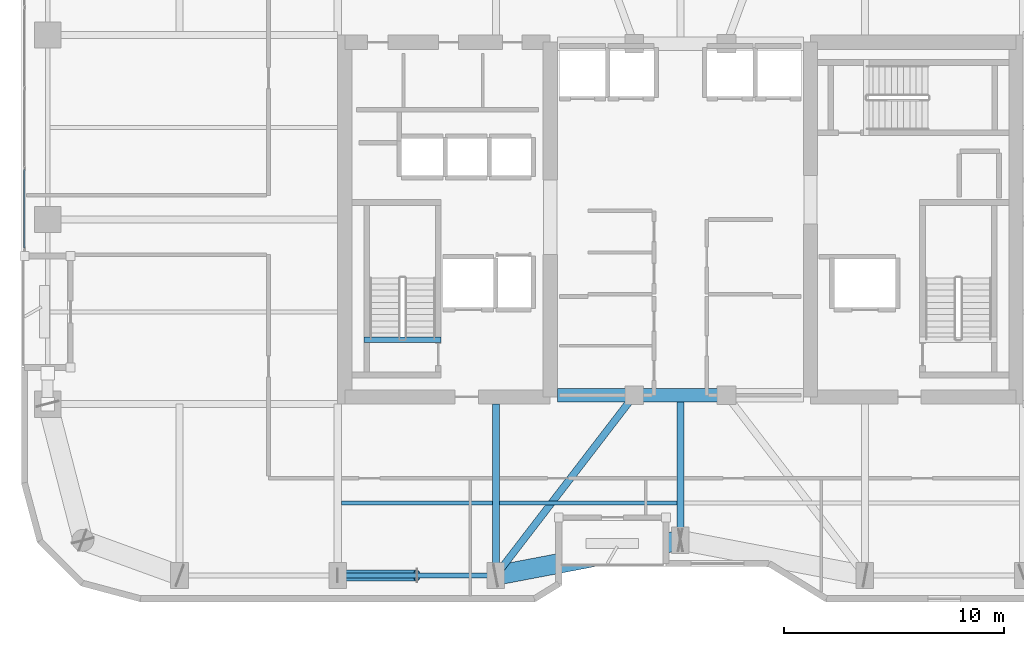
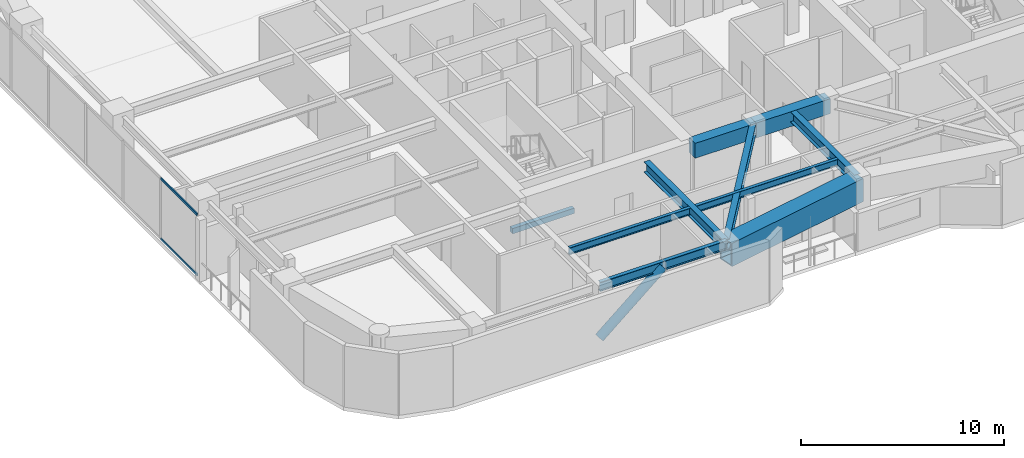
# One storey, part 3 of 30: 10 beams, 3 members, 1 element without a shape of its own.
"""IFC4 building model written with IfcOpenShell, lengths in metres."""

import ifcopenshell
import ifcopenshell.guid

model = None  # the IFC model being written
_history = None  # IfcOwnerHistory: only IFC2X3 demands one
_inside = {}  # id of a spatial element -> (the spatial element, [elements in it])
_under = {}  # id of a project, library or spatial element -> (it, [spatial elements below it])
_declared = {}  # id of a project -> (the project, [libraries it declares])
_typed = {}  # id of a type object -> (the type object, [elements of that type])
_made_of = {}  # id of a material, layer set ... -> (it, [elements and type objects made of it])


def new_model(schema):
    """Start an empty IFC model of exactly this schema.

    Asked for "IFC4X3", IfcOpenShell would pick the latest addendum, in which some entities
    have other attributes; the version numbers below select the first issue.
    IFC2X3 requires an IfcOwnerHistory on every rooted entity: one is made here for all.
    """
    global model, _history
    if schema == "IFC4X3":
        model = ifcopenshell.file(schema_version=(4, 3, 0, 0))
    else:
        model = ifcopenshell.file(schema=schema)
    _inside.clear()
    _under.clear()
    _declared.clear()
    _typed.clear()
    _made_of.clear()
    _history = None
    if model.schema == "IFC2X3":
        org = make("IfcOrganization", Name="unknown")
        user = make(
            "IfcPersonAndOrganization",
            ThePerson=make("IfcPerson", FamilyName="unknown"),
            TheOrganization=org,
        )
        app = make(
            "IfcApplication",
            ApplicationDeveloper=org,
            Version="unknown",
            ApplicationFullName="unknown",
            ApplicationIdentifier="unknown",
        )
        _history = make(
            "IfcOwnerHistory",
            OwningUser=user,
            OwningApplication=app,
            ChangeAction="ADDED",
            CreationDate=0,
        )
    return model


def make(cls, **values):
    """One entity of the class cls with the attributes given. An attribute that is None is left unset."""
    return model.create_entity(
        cls, **{name: value for name, value in values.items() if value is not None}
    )


def rooted(cls, **values):
    """An entity with a GlobalId (a new one), such as an element, a storey or a relation."""
    return make(cls, GlobalId=ifcopenshell.guid.new(), OwnerHistory=_history, **values)


def si_unit(unit_type, name, prefix=None):
    """IfcSIUnit, for example si_unit("LENGTHUNIT", "METRE", prefix="MILLI")."""
    return make("IfcSIUnit", UnitType=unit_type, Prefix=prefix, Name=name)


def assignment(units):
    """IfcUnitAssignment: the units of a project."""
    return None if units is None else make("IfcUnitAssignment", Units=units)


def point(xyz):
    """IfcCartesianPoint."""
    return None if xyz is None else make("IfcCartesianPoint", Coordinates=xyz)


def direction(xyz):
    """IfcDirection."""
    return None if xyz is None else make("IfcDirection", DirectionRatios=xyz)


def frame(location, z_axis=None, x_axis=None):
    """IfcAxis2Placement3D, a coordinate frame: its origin and axes. An axis left out is left unset."""
    return make(
        "IfcAxis2Placement3D",
        Location=point(location),
        Axis=direction(z_axis),
        RefDirection=direction(x_axis),
    )


def frame_2d(location, x_axis=None):
    """IfcAxis2Placement2D, a coordinate frame in the plane: its origin and x axis."""
    return make(
        "IfcAxis2Placement2D", Location=point(location), RefDirection=direction(x_axis)
    )


def origin():
    """The frame at (0, 0, 0) with its axes left unset."""
    return frame((0.0, 0.0, 0.0))


def origin_2d():
    """The frame at (0, 0) in the plane with its x axis left unset."""
    return frame_2d((0.0, 0.0))


def place(relative_to, where):
    """IfcLocalPlacement: puts the frame where relative to a parent placement (None: the world)."""
    return make(
        "IfcLocalPlacement", PlacementRelTo=relative_to, RelativePlacement=where
    )


def context(
    kind, dimensions, precision=None, world=None, true_north=None, identifier=None
):
    """IfcGeometricRepresentationContext, for example the 3D "Model" context."""
    return make(
        "IfcGeometricRepresentationContext",
        ContextIdentifier=identifier,
        ContextType=kind,
        CoordinateSpaceDimension=dimensions,
        Precision=precision,
        WorldCoordinateSystem=world,
        TrueNorth=true_north,
    )


def subcontext(parent, identifier, kind, view, scale=None):
    """IfcGeometricRepresentationSubContext, for example "Body" below "Model"."""
    return make(
        "IfcGeometricRepresentationSubContext",
        ContextIdentifier=identifier,
        ContextType=kind,
        ParentContext=parent,
        TargetScale=scale,
        TargetView=view,
    )


def project(units=None, contexts=None):
    """IfcProject with its units and contexts."""
    return rooted(
        "IfcProject",
        Name="project",
        RepresentationContexts=contexts,
        UnitsInContext=assignment(units),
    )


def spatial(cls, under=None, at=None, **own):
    """A site, building, storey or space (cls), placed at a placement, below another one or the project."""
    s = rooted(cls, ObjectPlacement=at, **own)
    if under is not None:
        _under.setdefault(under.id(), (under, []))[1].append(s)
    return s


def profile(cls, at=None, kind="AREA", **sizes):
    """A parametric profile (cls). Its sizes go by their IFC names, for example OverallWidth=200.0."""
    return make(cls, ProfileType=kind, Position=at, **sizes)


def rectangle(**sizes):
    """IfcRectangleProfileDef."""
    return profile("IfcRectangleProfileDef", **sizes)


def hollow_rectangle(**sizes):
    """IfcRectangleHollowProfileDef."""
    return profile("IfcRectangleHollowProfileDef", **sizes)


def hollow_circle(**sizes):
    """IfcCircleHollowProfileDef."""
    return profile("IfcCircleHollowProfileDef", **sizes)


def i_section(**sizes):
    """IfcIShapeProfileDef."""
    return profile("IfcIShapeProfileDef", **sizes)


def extrude(swept, where, along, depth):
    """IfcExtrudedAreaSolid: the profile swept, set in the frame where, extruded along a direction by depth."""
    return make(
        "IfcExtrudedAreaSolid",
        SweptArea=swept,
        Position=where,
        ExtrudedDirection=direction(along),
        Depth=depth,
    )


def shape(context_of_items, identifier, shape_type, items):
    """IfcShapeRepresentation: the items that make up one representation, for example the "Body"."""
    return make(
        "IfcShapeRepresentation",
        ContextOfItems=context_of_items,
        RepresentationIdentifier=identifier,
        RepresentationType=shape_type,
        Items=items,
    )


def material(Name=None, Category=None):
    """IfcMaterial."""
    return make("IfcMaterial", Name=Name, Category=Category)


def layer(
    of_material, thickness, ventilated=None, Name=None, Category=None, Priority=None
):
    """IfcMaterialLayer: one layer of a wall or slab, of a material (None: an air gap)."""
    return make(
        "IfcMaterialLayer",
        Material=of_material,
        LayerThickness=thickness,
        IsVentilated=ventilated,
        Name=Name,
        Category=Category,
        Priority=Priority,
    )


def layer_set(layers, Name=None):
    """IfcMaterialLayerSet."""
    return make("IfcMaterialLayerSet", MaterialLayers=layers, LayerSetName=Name)


def material_profile(
    of_material, cross_section, Name=None, Category=None, Priority=None
):
    """IfcMaterialProfile: a cross section and its material."""
    return make(
        "IfcMaterialProfile",
        Name=Name,
        Material=of_material,
        Profile=cross_section,
        Priority=Priority,
        Category=Category,
    )


def profile_set(profiles, Name=None, composite=None):
    """IfcMaterialProfileSet."""
    return make(
        "IfcMaterialProfileSet",
        Name=Name,
        MaterialProfiles=profiles,
        CompositeProfile=composite,
    )


def made_of(thing, what):
    """Note that an element or type object is made of a material, layer set ...; save() writes the relation."""
    if what is not None:
        _made_of.setdefault(what.id(), (what, []))[1].append(thing)
    return thing


def type_object(cls, material=None, **own):
    """A type object (cls), such as IfcWallType, which elements share."""
    return made_of(rooted(cls, **own), material)


def element(
    cls,
    number,
    at=None,
    inside=None,
    cuts=None,
    type_object=None,
    material=None,
    context=None,
    identifier="Body",
    shape_type=None,
    held_by="IfcProductDefinitionShape",
    body=None,
    shapes=None,
    **own,
):
    """One element of the class cls, such as IfcWall. Its Tag is "e" and its number.

    at: its placement. inside: the storey or other place that contains it. cuts: it is an
    opening in that element (IfcRelVoidsElement). A single representation is given by context,
    identifier, shape_type and body (its items); several are given by shapes. held_by: the class
    of the entity that holds the representations. save() writes the other relations.
    """
    e = rooted(cls, Tag="e%d" % number, ObjectPlacement=at, **own)
    if body is not None:
        shapes = [shape(context, identifier, shape_type, body)]
    if shapes is not None:
        e.Representation = make(held_by, Representations=shapes)
    if inside is not None:
        _inside.setdefault(inside.id(), (inside, []))[1].append(e)
    if cuts is not None:
        rooted(
            "IfcRelVoidsElement", RelatingBuildingElement=cuts, RelatedOpeningElement=e
        )
    if type_object is not None:
        _typed.setdefault(type_object.id(), (type_object, []))[1].append(e)
    return made_of(e, material)


def aggregate(whole, parts):
    """IfcRelAggregates: a whole, such as a stair, and the parts it consists of."""
    return rooted("IfcRelAggregates", RelatingObject=whole, RelatedObjects=parts)


def save(model, path):
    """Write the relations noted so far, then the file.

    IfcRelAggregates (storeys below a building ...), IfcRelContainedInSpatialStructure (elements
    in a storey), IfcRelDefinesByType, IfcRelAssociatesMaterial and IfcRelDeclares: one each for
    every whole, place, type object, material and project.
    """
    for whole, parts in _under.values():
        aggregate(whole, parts)
    for where, things in _inside.values():
        rooted(
            "IfcRelContainedInSpatialStructure",
            RelatedElements=things,
            RelatingStructure=where,
        )
    for kind, things in _typed.values():
        rooted("IfcRelDefinesByType", RelatedObjects=things, RelatingType=kind)
    for what, things in _made_of.values():
        rooted("IfcRelAssociatesMaterial", RelatedObjects=things, RelatingMaterial=what)
    for by, libraries in _declared.values():
        rooted("IfcRelDeclares", RelatingContext=by, RelatedDefinitions=libraries)
    model.write(path)


model = new_model("IFC4")

# Units and contexts
model_context = context("Model", 3, precision=1e-05, world=origin(), true_north=direction((0.0, 1.0)))
body_context = subcontext(model_context, "Body", "Model", "MODEL_VIEW")
ifc_project = project(units=[si_unit("LENGTHUNIT", "METRE"), si_unit("AREAUNIT", "SQUARE_METRE"), si_unit("VOLUMEUNIT", "CUBIC_METRE"), si_unit("PLANEANGLEUNIT", "RADIAN"), si_unit("MASSUNIT", "GRAM", prefix="KILO")], contexts=[model_context])

# Site, building, storey
site_placement = place(None, origin())
site = spatial("IfcSite", under=ifc_project, at=site_placement, CompositionType="ELEMENT")
building_placement = place(site_placement, origin())
building = spatial("IfcBuilding", under=site, at=building_placement, Name="Kiyonajd Concourse Tower", CompositionType="ELEMENT")
storey_placement = place(building_placement, frame((0.0, 0.0, 194.10009765625)))
storey = spatial("IfcBuildingStorey", under=building, at=storey_placement, Name="L49", CompositionType="ELEMENT", Elevation=194.10009765625)

# Beams
ifc_material_1 = material(Name="Concrete C60/75", Category="concrete")
ifc_material_profile_1 = material_profile(ifc_material_1, rectangle(XDim=0.60009765625, YDim=0.89990234375, at=origin_2d()), Name="RCBM-600x900")
ifc_profile_set_1 = profile_set([ifc_material_profile_1], Name="Concrete C60/75")
beam_type_1 = type_object("IfcBeamType", Name="BM-COUP-900", PredefinedType="LINTEL", material=ifc_profile_set_1)
beam_1_placement = place(storey_placement, frame((42.39990234375, 28.0, 3.22998046875), z_axis=(1.0, 0.0, 0.0), x_axis=(0.0, 1.0, 0.0)))
element("IfcBeam", 1, at=beam_1_placement, inside=storey, type_object=beam_type_1, Name="L49 Core Coupling Beam S1", PredefinedType="LINTEL", context=body_context, shape_type="SweptSolid", body=[
    extrude(rectangle(XDim=0.60009765625, YDim=0.89990234375, at=origin_2d()), origin(), (0.0, 0.0, 1.0), 3.5),
])
beam_2_placement = place(storey_placement, frame((45.89990234375, 28.0, 3.22998046875), z_axis=(1.0, 0.0, 0.0), x_axis=(0.0, 1.0, 0.0)))
element("IfcBeam", 2, at=beam_2_placement, inside=storey, type_object=beam_type_1, Name="L49 Core Coupling Beam S2", PredefinedType="LINTEL", context=body_context, shape_type="SweptSolid", body=[
    extrude(rectangle(XDim=0.60009765625, YDim=0.89990234375, at=origin_2d()), origin(), (0.0, 0.0, 1.0), 4.2001953125),
])
ifc_material_2 = material(Name="Steel ASTM A992 Grade 50", Category="steel")
ifc_material_profile_2 = material_profile(ifc_material_2, i_section(OverallWidth=0.180908203125, OverallDepth=0.4169921875, WebThickness=0.010986328125, FlangeThickness=0.018310546875, at=origin_2d()), Name="W410X85")
ifc_profile_set_2 = profile_set([ifc_material_profile_2], Name="Steel ASTM A992 Grade 50")
beam_type_2 = type_object("IfcBeamType", Name="BM-JST-410", PredefinedType="JOIST", material=ifc_profile_set_2)
beam_3_placement = place(storey_placement, frame((32.5634765625, 23.10009765625, 3.471435546875), z_axis=(1.0, 0.0, 0.0), x_axis=(0.0, 1.0, 0.0)))
element("IfcBeam", 3, at=beam_3_placement, inside=storey, type_object=beam_type_2, Name="L49 Secondary Floor Joist", PredefinedType="JOIST", context=body_context, shape_type="SweptSolid", body=[
    extrude(i_section(OverallWidth=0.180908203125, OverallDepth=0.4169921875, WebThickness=0.010986328125, FlangeThickness=0.018310546875, at=origin_2d()), origin(), (0.0, 0.0, 1.0), 6.873046875),
])
beam_4_placement = place(storey_placement, frame((39.763427734375, 23.10009765625, 3.471435546875), z_axis=(1.0, 0.0, 0.0), x_axis=(0.0, 1.0, 0.0)))
element("IfcBeam", 4, at=beam_4_placement, inside=storey, type_object=beam_type_2, Name="L49 Secondary Floor Joist", PredefinedType="JOIST", context=body_context, shape_type="SweptSolid", body=[
    extrude(i_section(OverallWidth=0.180908203125, OverallDepth=0.4169921875, WebThickness=0.010986328125, FlangeThickness=0.018310546875, at=origin_2d()), origin(), (0.0, 0.0, 1.0), 8.072998046875),
])
ifc_material_3 = material(Name="Concrete C50/60", Category="concrete")
ifc_material_profile_3 = material_profile(ifc_material_3, rectangle(XDim=0.239990234375, YDim=0.320068359375, at=origin_2d()), Name="RCBM-240x320")
ifc_profile_set_3 = profile_set([ifc_material_profile_3], Name="Concrete C50/60")
beam_type_3 = type_object("IfcBeamType", Name="BM-LNT-250", PredefinedType="LINTEL", material=ifc_profile_set_3)
beam_5_placement = place(storey_placement, frame((33.590087890625, 30.530029296875, -0.16015625), z_axis=(1.0, 0.0, 0.0), x_axis=(0.0, 1.0, 0.0)))
element("IfcBeam", 5, at=beam_5_placement, inside=storey, type_object=beam_type_3, Name="L49 Stair ST1 Threshold Support Beam", PredefinedType="LINTEL", context=body_context, shape_type="SweptSolid", body=[
    extrude(rectangle(XDim=0.239990234375, YDim=0.320068359375, at=origin_2d()), origin(), (0.0, 0.0, 1.0), 3.52001953125),
])
ifc_material_profile_4 = material_profile(ifc_material_2, i_section(OverallWidth=0.214111328125, OverallDepth=0.549072265625, WebThickness=0.0146484375, FlangeThickness=0.023681640625, at=origin_2d()), Name="W530X138")
ifc_profile_set_4 = profile_set([ifc_material_profile_4], Name="Steel ASTM A992 Grade 50")
beam_type_4 = type_object("IfcBeamType", Name="BM-SPAN-530A", PredefinedType="SPANDREL", material=ifc_profile_set_4)
beam_6_placement = place(storey_placement, frame((32.39990234375, 19.800048828125, 3.405517578125), z_axis=(1.0, 0.0, 0.0), x_axis=(0.0, 1.0, 0.0)))
element("IfcBeam", 6, at=beam_6_placement, inside=storey, type_object=beam_type_4, Name="L49 Perimeter Bundled Tube Spandrel", PredefinedType="SPANDREL", context=body_context, shape_type="SweptSolid", body=[
    extrude(i_section(OverallWidth=0.214111328125, OverallDepth=0.549072265625, WebThickness=0.0146484375, FlangeThickness=0.023681640625, at=origin_2d()), origin(), (0.0, 0.0, 1.0), 7.2001953125),
])
ifc_material_profile_5 = material_profile(ifc_material_2, i_section(OverallWidth=0.326904296875, OverallDepth=0.6220703125, WebThickness=0.015380859375, FlangeThickness=0.0244140625, at=origin_2d()), Name="W610X195")
ifc_profile_set_5 = profile_set([ifc_material_profile_5], Name="Steel ASTM A992 Grade 50")
beam_type_5 = type_object("IfcBeamType", Name="BM-TWR-610A", PredefinedType="BEAM", material=ifc_profile_set_5)
beam_7_placement = place(storey_placement, frame((39.60009765625, 19.800048828125, 3.368896484375), z_axis=(0.609233709922, 0.792990722956, 0.0), x_axis=(-0.792990722956, 0.609233709922, 0.0)))
element("IfcBeam", 7, at=beam_7_placement, inside=storey, type_object=beam_type_5, Name="L49 Core Tie Girder", PredefinedType="BEAM", context=body_context, shape_type="SweptSolid", body=[
    extrude(i_section(OverallWidth=0.326904296875, OverallDepth=0.6220703125, WebThickness=0.015380859375, FlangeThickness=0.0244140625, at=origin_2d()), origin(), (0.0, 0.0, 1.0), 10.340576171875),
])
beam_8_placement = place(storey_placement, frame((39.60009765625, 19.800048828125, 3.368896484375), z_axis=(0.0, 1.0, 0.0), x_axis=(-1.0, 0.0, 0.0)))
element("IfcBeam", 8, at=beam_8_placement, inside=storey, type_object=beam_type_5, Name="L49 South Lease Girder", PredefinedType="BEAM", context=body_context, shape_type="SweptSolid", body=[
    extrude(i_section(OverallWidth=0.326904296875, OverallDepth=0.6220703125, WebThickness=0.015380859375, FlangeThickness=0.0244140625, at=origin_2d()), origin(), (0.0, 0.0, 1.0), 7.800048828125),
])
beam_9_placement = place(storey_placement, frame((48.0, 21.39990234375, 3.368896484375), z_axis=(0.0, 1.0, 0.0), x_axis=(-1.0, 0.0, 0.0)))
element("IfcBeam", 9, at=beam_9_placement, inside=storey, type_object=beam_type_5, Name="L49 South Ribbon Girder", PredefinedType="BEAM", context=body_context, shape_type="SweptSolid", body=[
    extrude(i_section(OverallWidth=0.326904296875, OverallDepth=0.6220703125, WebThickness=0.015380859375, FlangeThickness=0.0244140625, at=origin_2d()), origin(), (0.0, 0.0, 1.0), 6.60009765625),
])
ifc_material_4 = material(Name="Steel ASTM A572 Grade 50", Category="steel")
ifc_material_profile_6 = material_profile(ifc_material_4, hollow_rectangle(XDim=0.89990234375, YDim=1.39990234375, WallThickness=0.070068359375, at=origin_2d()), Name="BOX-1400x900x70")
ifc_profile_set_6 = profile_set([ifc_material_profile_6], Name="Steel ASTM A572 Grade 50")
beam_type_6 = type_object("IfcBeamType", Name="BM-XFER-1400", PredefinedType="BEAM", material=ifc_profile_set_6)
beam_10_placement = place(storey_placement, frame((39.60009765625, 19.800048828125, 2.97998046875), z_axis=(0.982341315253, 0.187097675953, 0.0), x_axis=(-0.187097675953, 0.982341315253, 0.0)))
element("IfcBeam", 10, at=beam_10_placement, inside=storey, type_object=beam_type_6, Name="L49 Perimeter Bundled Tube Spandrel", PredefinedType="BEAM", context=body_context, shape_type="SweptSolid", body=[
    extrude(hollow_rectangle(XDim=0.89990234375, YDim=1.39990234375, WallThickness=0.070068359375, at=origin_2d()), origin(), (0.0, 0.0, 1.0), 8.55078125),
])

# Curtain wall, members
ifc_material_5 = material(Name="Thermally Broken Anodised Aluminium", Category="aluminium")
ifc_layer = layer(ifc_material_5, 0.179931640625)
ifc_layer_set = layer_set([ifc_layer], Name="Thermally Broken Anodised Aluminium")
curtain_wall_type = type_object("IfcCurtainWallType", Name="CW-SYS-03", PredefinedType="NOTDEFINED", material=ifc_layer_set)
curtain_wall_placement = place(storey_placement, origin())
curtain_wall = element("IfcCurtainWall", 11, at=curtain_wall_placement, inside=storey, type_object=curtain_wall_type, Name="L49 Unitised Curtain Wall CW3", PredefinedType="NOTDEFINED")
ifc_material_profile_7 = material_profile(ifc_material_5, hollow_rectangle(XDim=0.06494140625, YDim=0.139892578125, WallThickness=0.00390625, at=origin_2d()), Name="TRAN-65x140")
ifc_profile_set_7 = profile_set([ifc_material_profile_7], Name="Thermally Broken Anodised Aluminium")
member_type_1 = type_object("IfcMemberType", Name="MB-CW-TRAN1", PredefinedType="USERDEFINED", material=ifc_profile_set_7)
member_1_placement = place(storey_placement, frame((18.139892578125, 34.695068359375, 0.032470703125), z_axis=(0.0, 1.0, 0.0), x_axis=(-1.0, 0.0, 0.0)))
member_1 = element("IfcMember", 12, at=member_1_placement, type_object=member_type_1, Name="CW3 transom 1.1", ObjectType="TRANSOM", PredefinedType="USERDEFINED", context=body_context, shape_type="SweptSolid", body=[
    extrude(hollow_rectangle(XDim=0.06494140625, YDim=0.139892578125, WallThickness=0.00390625, at=origin_2d()), origin(), (0.0, 0.0, 1.0), 3.579345703125),
])
member_2_placement = place(storey_placement, frame((18.139892578125, 34.695068359375, 3.6474609375), z_axis=(0.0, 1.0, 0.0), x_axis=(-1.0, 0.0, 0.0)))
member_2 = element("IfcMember", 13, at=member_2_placement, type_object=member_type_1, Name="CW3 transom 1.2", ObjectType="TRANSOM", PredefinedType="USERDEFINED", context=body_context, shape_type="SweptSolid", body=[
    extrude(hollow_rectangle(XDim=0.06494140625, YDim=0.139892578125, WallThickness=0.00390625, at=origin_2d()), origin(), (0.0, 0.0, 1.0), 3.579345703125),
])
aggregate(curtain_wall, [member_1, member_2])

# Member
ifc_material_6 = material(Name="Steel ASTM A500 Grade C", Category="steel")
ifc_material_profile_8 = material_profile(ifc_material_6, hollow_circle(Radius=0.25390625, WallThickness=0.02197265625, at=origin_2d()), Name="CHS-508x22")
ifc_profile_set_8 = profile_set([ifc_material_profile_8], Name="Steel ASTM A500 Grade C")
member_type_2 = type_object("IfcMemberType", Name="MB-PB-MID", PredefinedType="BRACE", material=ifc_profile_set_8)
member_3_placement = place(storey_placement, frame((32.39990234375, 19.800048828125, 0.2998046875), z_axis=(0.765082043761, 0.0, 0.643932811957), x_axis=(0.0, 1.0, 0.0)))
element("IfcMember", 14, at=member_3_placement, inside=storey, type_object=member_type_2, Name="L49 Upper Zone Hollow Tube Brace PBS", PredefinedType="BRACE", context=body_context, shape_type="SweptSolid", body=[
    extrude(hollow_circle(Radius=0.25390625, WallThickness=0.02197265625, at=origin_2d()), origin(), (0.0, 0.0, 1.0), 4.70556640625),
])

save(model, "model.ifc")
